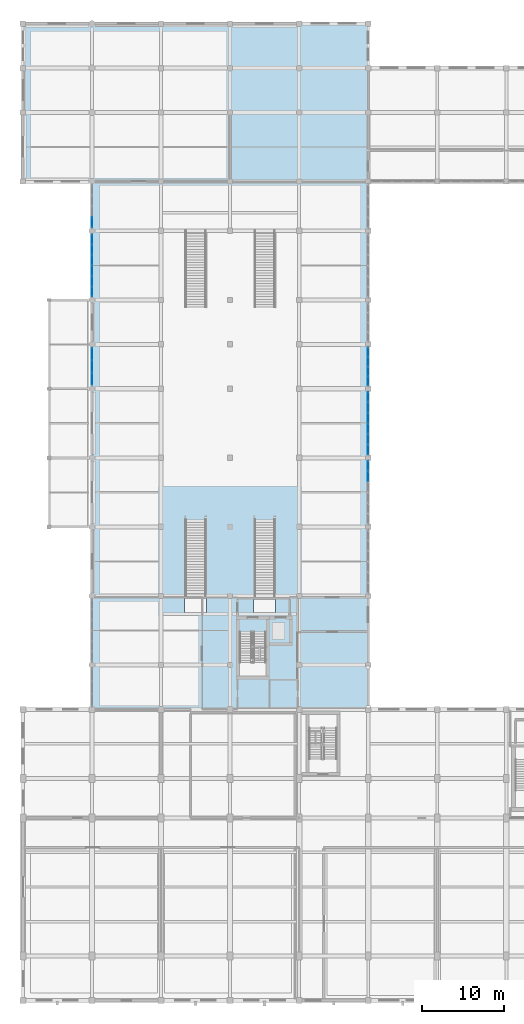
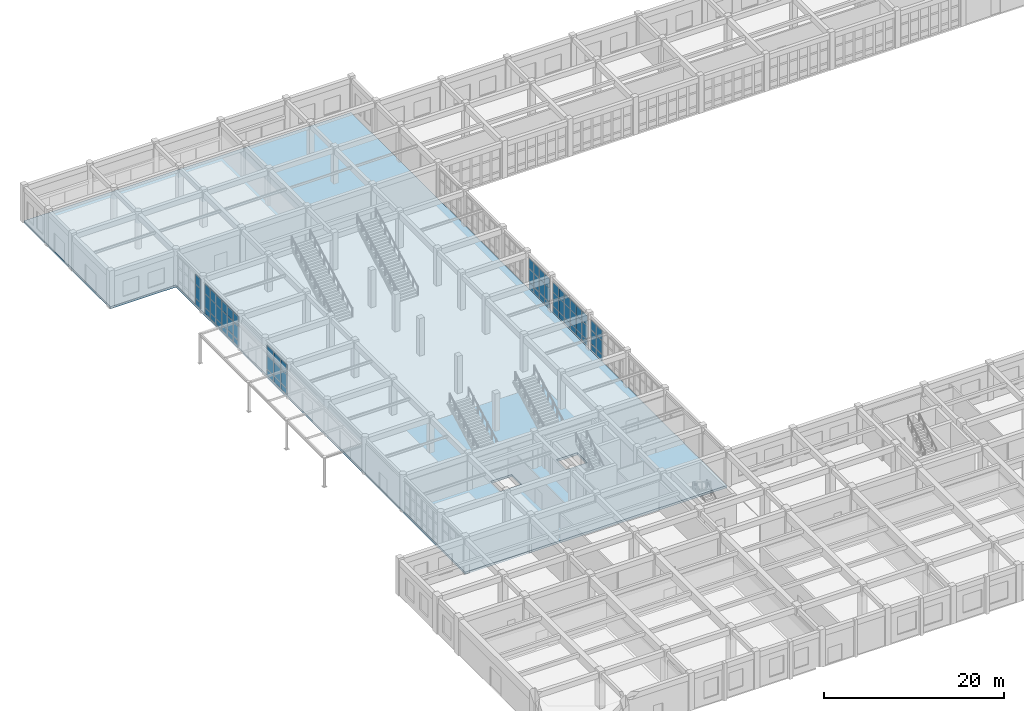
# One storey, part 45 of 80: 66 plates, 1 slab, 6 elements without a shape of their own.
"""IFC4 building model written with IfcOpenShell, lengths in metres."""

from ifc_helpers import new_model, si_unit, direction, frame, origin, origin_2d, place, context, subcontext, project, spatial, polyline, rectangle, outline, extrude, material, layer, layer_set, type_object, element, aggregate, save


model = new_model("IFC4")

# Units and contexts
model_context = context("Model", 3, precision=1e-05, world=origin(), true_north=direction((0.0, 1.0)))
body_context = subcontext(model_context, "Body", "Model", "MODEL_VIEW")
ifc_project = project(units=[si_unit("LENGTHUNIT", "METRE"), si_unit("AREAUNIT", "SQUARE_METRE"), si_unit("VOLUMEUNIT", "CUBIC_METRE"), si_unit("PLANEANGLEUNIT", "RADIAN"), si_unit("MASSUNIT", "GRAM", prefix="KILO")], contexts=[model_context])

# Site, building, storey
site_placement = place(None, origin())
site = spatial("IfcSite", under=ifc_project, at=site_placement, CompositionType="ELEMENT")
building_placement = place(site_placement, origin())
building = spatial("IfcBuilding", under=site, at=building_placement, Name="Krzemoval Escarpment Law Courts", CompositionType="ELEMENT")
storey_placement = place(building_placement, origin())
storey = spatial("IfcBuildingStorey", under=building, at=storey_placement, Name="L00", CompositionType="ELEMENT", Elevation=0.0)

# Curtain wall, plates
ifc_material_1 = material(Name="Aluminium 6063-T6", Category="aluminium")
ifc_layer_1 = layer(ifc_material_1, 0.280029296875)
ifc_layer_set_1 = layer_set([ifc_layer_1], Name="Aluminium 6063-T6")
curtain_wall_type = type_object("IfcCurtainWallType", Name="CW-HALL-5100", PredefinedType="USERDEFINED", material=ifc_layer_set_1)
curtain_wall_1_placement = place(storey_placement, origin())
curtain_wall_1 = element("IfcCurtainWall", 1, at=curtain_wall_1_placement, inside=storey, type_object=curtain_wall_type, Name="Unitised Curtain Wall FCW-L00-003", ObjectType="UNITISED_CURTAIN_WALL", PredefinedType="USERDEFINED")
ifc_material_2 = material(Name="Triple Glazing IGU", Category="glass")
ifc_layer_2 = layer(ifc_material_2, 0.053955078125)
ifc_layer_set_2 = layer_set([ifc_layer_2], Name="Triple Glazing IGU")
plate_type = type_object("IfcPlateType", Name="CWP-GLZ-54", PredefinedType="CURTAIN_PANEL", material=ifc_layer_set_2)
plate_1_placement = place(storey_placement, frame((8.39990234375, 75.5712890625, 0.0849609375), z_axis=(0.0, 0.0, 1.0), x_axis=(0.0, 1.0, 0.0)))
plate_1 = element("IfcPlate", 2, at=plate_1_placement, type_object=plate_type, Name="FCW-L00-003 panel 1.1", PredefinedType="CURTAIN_PANEL", context=body_context, shape_type="SweptSolid", body=[
    extrude(rectangle(XDim=1.422607421875, YDim=0.053955078125, at=origin_2d()), origin(), (0.0, 0.0, 1.0), 0.7724609375),
])
plate_2_placement = place(storey_placement, frame((8.39990234375, 75.5712890625, 0.942626953125), z_axis=(0.0, 0.0, 1.0), x_axis=(0.0, 1.0, 0.0)))
plate_2 = element("IfcPlate", 3, at=plate_2_placement, type_object=plate_type, Name="FCW-L00-003 panel 1.2", PredefinedType="CURTAIN_PANEL", context=body_context, shape_type="SweptSolid", body=[
    extrude(rectangle(XDim=1.422607421875, YDim=0.053955078125, at=origin_2d()), origin(), (0.0, 0.0, 1.0), 1.81494140625),
])
plate_3_placement = place(storey_placement, frame((8.39990234375, 75.5712890625, 2.842529296875), z_axis=(0.0, 0.0, 1.0), x_axis=(0.0, 1.0, 0.0)))
plate_3 = element("IfcPlate", 4, at=plate_3_placement, type_object=plate_type, Name="FCW-L00-003 panel 1.3", PredefinedType="CURTAIN_PANEL", context=body_context, shape_type="SweptSolid", body=[
    extrude(rectangle(XDim=1.422607421875, YDim=0.053955078125, at=origin_2d()), origin(), (0.0, 0.0, 1.0), 1.29248046875),
])
plate_4_placement = place(storey_placement, frame((8.39990234375, 77.10009765625, 0.0849609375), z_axis=(0.0, 0.0, 1.0), x_axis=(0.0, 1.0, 0.0)))
plate_4 = element("IfcPlate", 5, at=plate_4_placement, type_object=plate_type, Name="FCW-L00-003 panel 2.1", PredefinedType="CURTAIN_PANEL", context=body_context, shape_type="SweptSolid", body=[
    extrude(rectangle(XDim=1.465087890625, YDim=0.053955078125, at=origin_2d()), origin(), (0.0, 0.0, 1.0), 0.7724609375),
])
plate_5_placement = place(storey_placement, frame((8.39990234375, 77.10009765625, 0.942626953125), z_axis=(0.0, 0.0, 1.0), x_axis=(0.0, 1.0, 0.0)))
plate_5 = element("IfcPlate", 6, at=plate_5_placement, type_object=plate_type, Name="FCW-L00-003 panel 2.2", PredefinedType="CURTAIN_PANEL", context=body_context, shape_type="SweptSolid", body=[
    extrude(rectangle(XDim=1.465087890625, YDim=0.053955078125, at=origin_2d()), origin(), (0.0, 0.0, 1.0), 1.81494140625),
])
plate_6_placement = place(storey_placement, frame((8.39990234375, 77.10009765625, 2.842529296875), z_axis=(0.0, 0.0, 1.0), x_axis=(0.0, 1.0, 0.0)))
plate_6 = element("IfcPlate", 7, at=plate_6_placement, type_object=plate_type, Name="FCW-L00-003 panel 2.3", PredefinedType="CURTAIN_PANEL", context=body_context, shape_type="SweptSolid", body=[
    extrude(rectangle(XDim=1.465087890625, YDim=0.053955078125, at=origin_2d()), origin(), (0.0, 0.0, 1.0), 1.29248046875),
])
plate_7_placement = place(storey_placement, frame((8.39990234375, 78.628662109375, 0.0849609375), z_axis=(0.0, 0.0, 1.0), x_axis=(0.0, 1.0, 0.0)))
plate_7 = element("IfcPlate", 8, at=plate_7_placement, type_object=plate_type, Name="FCW-L00-003 panel 3.1", PredefinedType="CURTAIN_PANEL", context=body_context, shape_type="SweptSolid", body=[
    extrude(rectangle(XDim=1.422607421875, YDim=0.053955078125, at=origin_2d()), origin(), (0.0, 0.0, 1.0), 0.7724609375),
])
plate_8_placement = place(storey_placement, frame((8.39990234375, 78.628662109375, 0.942626953125), z_axis=(0.0, 0.0, 1.0), x_axis=(0.0, 1.0, 0.0)))
plate_8 = element("IfcPlate", 9, at=plate_8_placement, type_object=plate_type, Name="FCW-L00-003 panel 3.2", PredefinedType="CURTAIN_PANEL", context=body_context, shape_type="SweptSolid", body=[
    extrude(rectangle(XDim=1.422607421875, YDim=0.053955078125, at=origin_2d()), origin(), (0.0, 0.0, 1.0), 1.81494140625),
])
plate_9_placement = place(storey_placement, frame((8.39990234375, 78.628662109375, 2.842529296875), z_axis=(0.0, 0.0, 1.0), x_axis=(0.0, 1.0, 0.0)))
plate_9 = element("IfcPlate", 10, at=plate_9_placement, type_object=plate_type, Name="FCW-L00-003 panel 3.3", PredefinedType="CURTAIN_PANEL", context=body_context, shape_type="SweptSolid", body=[
    extrude(rectangle(XDim=1.422607421875, YDim=0.053955078125, at=origin_2d()), origin(), (0.0, 0.0, 1.0), 1.29248046875),
])
aggregate(curtain_wall_1, [plate_1, plate_2, plate_3, plate_4, plate_5, plate_6, plate_7, plate_8, plate_9])

curtain_wall_2_placement = place(storey_placement, origin())
curtain_wall_2 = element("IfcCurtainWall", 11, at=curtain_wall_2_placement, inside=storey, type_object=curtain_wall_type, Name="Unitised Curtain Wall FCW-L00-004", ObjectType="UNITISED_CURTAIN_WALL", PredefinedType="USERDEFINED")
plate_10_placement = place(storey_placement, frame((8.39990234375, 86.233642578125, 0.0849609375), z_axis=(0.0, 0.0, 1.0), x_axis=(0.0, 1.0, 0.0)))
plate_10 = element("IfcPlate", 12, at=plate_10_placement, type_object=plate_type, Name="FCW-L00-004 panel 1.1", PredefinedType="CURTAIN_PANEL", context=body_context, shape_type="SweptSolid", body=[
    extrude(rectangle(XDim=1.1474609375, YDim=0.053955078125, at=origin_2d()), origin(), (0.0, 0.0, 1.0), 0.7724609375),
])
plate_11_placement = place(storey_placement, frame((8.39990234375, 86.233642578125, 0.942626953125), z_axis=(0.0, 0.0, 1.0), x_axis=(0.0, 1.0, 0.0)))
plate_11 = element("IfcPlate", 13, at=plate_11_placement, type_object=plate_type, Name="FCW-L00-004 panel 1.2", PredefinedType="CURTAIN_PANEL", context=body_context, shape_type="SweptSolid", body=[
    extrude(rectangle(XDim=1.1474609375, YDim=0.053955078125, at=origin_2d()), origin(), (0.0, 0.0, 1.0), 1.81494140625),
])
plate_12_placement = place(storey_placement, frame((8.39990234375, 86.233642578125, 2.842529296875), z_axis=(0.0, 0.0, 1.0), x_axis=(0.0, 1.0, 0.0)))
plate_12 = element("IfcPlate", 14, at=plate_12_placement, type_object=plate_type, Name="FCW-L00-004 panel 1.3", PredefinedType="CURTAIN_PANEL", context=body_context, shape_type="SweptSolid", body=[
    extrude(rectangle(XDim=1.1474609375, YDim=0.053955078125, at=origin_2d()), origin(), (0.0, 0.0, 1.0), 1.29248046875),
])
plate_13_placement = place(storey_placement, frame((8.39990234375, 87.487548828125, 0.0849609375), z_axis=(0.0, 0.0, 1.0), x_axis=(0.0, 1.0, 0.0)))
plate_13 = element("IfcPlate", 15, at=plate_13_placement, type_object=plate_type, Name="FCW-L00-004 panel 2.1", PredefinedType="CURTAIN_PANEL", context=body_context, shape_type="SweptSolid", body=[
    extrude(rectangle(XDim=1.18994140625, YDim=0.053955078125, at=origin_2d()), origin(), (0.0, 0.0, 1.0), 0.7724609375),
])
plate_14_placement = place(storey_placement, frame((8.39990234375, 87.487548828125, 0.942626953125), z_axis=(0.0, 0.0, 1.0), x_axis=(0.0, 1.0, 0.0)))
plate_14 = element("IfcPlate", 16, at=plate_14_placement, type_object=plate_type, Name="FCW-L00-004 panel 2.2", PredefinedType="CURTAIN_PANEL", context=body_context, shape_type="SweptSolid", body=[
    extrude(rectangle(XDim=1.18994140625, YDim=0.053955078125, at=origin_2d()), origin(), (0.0, 0.0, 1.0), 1.81494140625),
])
plate_15_placement = place(storey_placement, frame((8.39990234375, 87.487548828125, 2.842529296875), z_axis=(0.0, 0.0, 1.0), x_axis=(0.0, 1.0, 0.0)))
plate_15 = element("IfcPlate", 17, at=plate_15_placement, type_object=plate_type, Name="FCW-L00-004 panel 2.3", PredefinedType="CURTAIN_PANEL", context=body_context, shape_type="SweptSolid", body=[
    extrude(rectangle(XDim=1.18994140625, YDim=0.053955078125, at=origin_2d()), origin(), (0.0, 0.0, 1.0), 1.29248046875),
])
plate_16_placement = place(storey_placement, frame((8.39990234375, 88.762451171875, 0.0849609375), z_axis=(0.0, 0.0, 1.0), x_axis=(0.0, 1.0, 0.0)))
plate_16 = element("IfcPlate", 18, at=plate_16_placement, type_object=plate_type, Name="FCW-L00-004 panel 3.1", PredefinedType="CURTAIN_PANEL", context=body_context, shape_type="SweptSolid", body=[
    extrude(rectangle(XDim=1.18994140625, YDim=0.053955078125, at=origin_2d()), origin(), (0.0, 0.0, 1.0), 0.7724609375),
])
plate_17_placement = place(storey_placement, frame((8.39990234375, 88.762451171875, 0.942626953125), z_axis=(0.0, 0.0, 1.0), x_axis=(0.0, 1.0, 0.0)))
plate_17 = element("IfcPlate", 19, at=plate_17_placement, type_object=plate_type, Name="FCW-L00-004 panel 3.2", PredefinedType="CURTAIN_PANEL", context=body_context, shape_type="SweptSolid", body=[
    extrude(rectangle(XDim=1.18994140625, YDim=0.053955078125, at=origin_2d()), origin(), (0.0, 0.0, 1.0), 1.81494140625),
])
plate_18_placement = place(storey_placement, frame((8.39990234375, 88.762451171875, 2.842529296875), z_axis=(0.0, 0.0, 1.0), x_axis=(0.0, 1.0, 0.0)))
plate_18 = element("IfcPlate", 20, at=plate_18_placement, type_object=plate_type, Name="FCW-L00-004 panel 3.3", PredefinedType="CURTAIN_PANEL", context=body_context, shape_type="SweptSolid", body=[
    extrude(rectangle(XDim=1.18994140625, YDim=0.053955078125, at=origin_2d()), origin(), (0.0, 0.0, 1.0), 1.29248046875),
])
plate_19_placement = place(storey_placement, frame((8.39990234375, 90.03759765625, 0.0849609375), z_axis=(0.0, 0.0, 1.0), x_axis=(0.0, 1.0, 0.0)))
plate_19 = element("IfcPlate", 21, at=plate_19_placement, type_object=plate_type, Name="FCW-L00-004 panel 4.1", PredefinedType="CURTAIN_PANEL", context=body_context, shape_type="SweptSolid", body=[
    extrude(rectangle(XDim=1.18994140625, YDim=0.053955078125, at=origin_2d()), origin(), (0.0, 0.0, 1.0), 0.7724609375),
])
plate_20_placement = place(storey_placement, frame((8.39990234375, 90.03759765625, 0.942626953125), z_axis=(0.0, 0.0, 1.0), x_axis=(0.0, 1.0, 0.0)))
plate_20 = element("IfcPlate", 22, at=plate_20_placement, type_object=plate_type, Name="FCW-L00-004 panel 4.2", PredefinedType="CURTAIN_PANEL", context=body_context, shape_type="SweptSolid", body=[
    extrude(rectangle(XDim=1.18994140625, YDim=0.053955078125, at=origin_2d()), origin(), (0.0, 0.0, 1.0), 1.81494140625),
])
plate_21_placement = place(storey_placement, frame((8.39990234375, 90.03759765625, 2.842529296875), z_axis=(0.0, 0.0, 1.0), x_axis=(0.0, 1.0, 0.0)))
plate_21 = element("IfcPlate", 23, at=plate_21_placement, type_object=plate_type, Name="FCW-L00-004 panel 4.3", PredefinedType="CURTAIN_PANEL", context=body_context, shape_type="SweptSolid", body=[
    extrude(rectangle(XDim=1.18994140625, YDim=0.053955078125, at=origin_2d()), origin(), (0.0, 0.0, 1.0), 1.29248046875),
])
plate_22_placement = place(storey_placement, frame((8.39990234375, 91.3125, 0.0849609375), z_axis=(0.0, 0.0, 1.0), x_axis=(0.0, 1.0, 0.0)))
plate_22 = element("IfcPlate", 24, at=plate_22_placement, type_object=plate_type, Name="FCW-L00-004 panel 5.1", PredefinedType="CURTAIN_PANEL", context=body_context, shape_type="SweptSolid", body=[
    extrude(rectangle(XDim=1.18994140625, YDim=0.053955078125, at=origin_2d()), origin(), (0.0, 0.0, 1.0), 0.7724609375),
])
plate_23_placement = place(storey_placement, frame((8.39990234375, 91.3125, 0.942626953125), z_axis=(0.0, 0.0, 1.0), x_axis=(0.0, 1.0, 0.0)))
plate_23 = element("IfcPlate", 25, at=plate_23_placement, type_object=plate_type, Name="FCW-L00-004 panel 5.2", PredefinedType="CURTAIN_PANEL", context=body_context, shape_type="SweptSolid", body=[
    extrude(rectangle(XDim=1.18994140625, YDim=0.053955078125, at=origin_2d()), origin(), (0.0, 0.0, 1.0), 1.81494140625),
])
plate_24_placement = place(storey_placement, frame((8.39990234375, 91.3125, 2.842529296875), z_axis=(0.0, 0.0, 1.0), x_axis=(0.0, 1.0, 0.0)))
plate_24 = element("IfcPlate", 26, at=plate_24_placement, type_object=plate_type, Name="FCW-L00-004 panel 5.3", PredefinedType="CURTAIN_PANEL", context=body_context, shape_type="SweptSolid", body=[
    extrude(rectangle(XDim=1.18994140625, YDim=0.053955078125, at=origin_2d()), origin(), (0.0, 0.0, 1.0), 1.29248046875),
])
plate_25_placement = place(storey_placement, frame((8.39990234375, 92.566162109375, 0.0849609375), z_axis=(0.0, 0.0, 1.0), x_axis=(0.0, 1.0, 0.0)))
plate_25 = element("IfcPlate", 27, at=plate_25_placement, type_object=plate_type, Name="FCW-L00-004 panel 6.1", PredefinedType="CURTAIN_PANEL", context=body_context, shape_type="SweptSolid", body=[
    extrude(rectangle(XDim=1.1474609375, YDim=0.053955078125, at=origin_2d()), origin(), (0.0, 0.0, 1.0), 0.7724609375),
])
plate_26_placement = place(storey_placement, frame((8.39990234375, 92.566162109375, 0.942626953125), z_axis=(0.0, 0.0, 1.0), x_axis=(0.0, 1.0, 0.0)))
plate_26 = element("IfcPlate", 28, at=plate_26_placement, type_object=plate_type, Name="FCW-L00-004 panel 6.2", PredefinedType="CURTAIN_PANEL", context=body_context, shape_type="SweptSolid", body=[
    extrude(rectangle(XDim=1.1474609375, YDim=0.053955078125, at=origin_2d()), origin(), (0.0, 0.0, 1.0), 1.81494140625),
])
plate_27_placement = place(storey_placement, frame((8.39990234375, 92.566162109375, 2.842529296875), z_axis=(0.0, 0.0, 1.0), x_axis=(0.0, 1.0, 0.0)))
plate_27 = element("IfcPlate", 29, at=plate_27_placement, type_object=plate_type, Name="FCW-L00-004 panel 6.3", PredefinedType="CURTAIN_PANEL", context=body_context, shape_type="SweptSolid", body=[
    extrude(rectangle(XDim=1.1474609375, YDim=0.053955078125, at=origin_2d()), origin(), (0.0, 0.0, 1.0), 1.29248046875),
])
aggregate(curtain_wall_2, [plate_10, plate_11, plate_12, plate_13, plate_14, plate_15, plate_16, plate_17, plate_18, plate_19, plate_20, plate_21, plate_22, plate_23, plate_24, plate_25, plate_26, plate_27])

curtain_wall_3_placement = place(storey_placement, origin())
curtain_wall_3 = element("IfcCurtainWall", 30, at=curtain_wall_3_placement, inside=storey, type_object=curtain_wall_type, Name="Unitised Curtain Wall FCW-L00-005", ObjectType="UNITISED_CURTAIN_WALL", PredefinedType="USERDEFINED")
plate_28_placement = place(storey_placement, frame((8.39990234375, 94.652587890625, 0.0849609375), z_axis=(0.0, 0.0, 1.0), x_axis=(0.0, 1.0, 0.0)))
plate_28 = element("IfcPlate", 31, at=plate_28_placement, type_object=plate_type, Name="FCW-L00-005 panel 1.1", PredefinedType="CURTAIN_PANEL", context=body_context, shape_type="SweptSolid", body=[
    extrude(rectangle(XDim=1.18505859375, YDim=0.053955078125, at=origin_2d()), origin(), (0.0, 0.0, 1.0), 0.7724609375),
])
plate_29_placement = place(storey_placement, frame((8.39990234375, 94.652587890625, 0.942626953125), z_axis=(0.0, 0.0, 1.0), x_axis=(0.0, 1.0, 0.0)))
plate_29 = element("IfcPlate", 32, at=plate_29_placement, type_object=plate_type, Name="FCW-L00-005 panel 1.2", PredefinedType="CURTAIN_PANEL", context=body_context, shape_type="SweptSolid", body=[
    extrude(rectangle(XDim=1.18505859375, YDim=0.053955078125, at=origin_2d()), origin(), (0.0, 0.0, 1.0), 1.81494140625),
])
plate_30_placement = place(storey_placement, frame((8.39990234375, 94.652587890625, 2.842529296875), z_axis=(0.0, 0.0, 1.0), x_axis=(0.0, 1.0, 0.0)))
plate_30 = element("IfcPlate", 33, at=plate_30_placement, type_object=plate_type, Name="FCW-L00-005 panel 1.3", PredefinedType="CURTAIN_PANEL", context=body_context, shape_type="SweptSolid", body=[
    extrude(rectangle(XDim=1.18505859375, YDim=0.053955078125, at=origin_2d()), origin(), (0.0, 0.0, 1.0), 1.29248046875),
])
aggregate(curtain_wall_3, [plate_28, plate_29, plate_30])

curtain_wall_4_placement = place(storey_placement, origin())
curtain_wall_4 = element("IfcCurtainWall", 34, at=curtain_wall_4_placement, inside=storey, type_object=curtain_wall_type, Name="Unitised Curtain Wall FCW-L00-018", ObjectType="UNITISED_CURTAIN_WALL", PredefinedType="USERDEFINED")
plate_31_placement = place(storey_placement, frame((42.0, 78.860107421875, 0.0849609375), z_axis=(0.0, 0.0, 1.0), x_axis=(0.0, -1.0, 0.0)))
plate_31 = element("IfcPlate", 35, at=plate_31_placement, type_object=plate_type, Name="FCW-L00-018 panel 1.1", PredefinedType="CURTAIN_PANEL", context=body_context, shape_type="SweptSolid", body=[
    extrude(rectangle(XDim=1.06005859375, YDim=0.053955078125, at=origin_2d()), origin(), (0.0, 0.0, 1.0), 0.7724609375),
])
plate_32_placement = place(storey_placement, frame((42.0, 78.860107421875, 0.942626953125), z_axis=(0.0, 0.0, 1.0), x_axis=(0.0, -1.0, 0.0)))
plate_32 = element("IfcPlate", 36, at=plate_32_placement, type_object=plate_type, Name="FCW-L00-018 panel 1.2", PredefinedType="CURTAIN_PANEL", context=body_context, shape_type="SweptSolid", body=[
    extrude(rectangle(XDim=1.06005859375, YDim=0.053955078125, at=origin_2d()), origin(), (0.0, 0.0, 1.0), 1.81494140625),
])
plate_33_placement = place(storey_placement, frame((42.0, 78.860107421875, 2.842529296875), z_axis=(0.0, 0.0, 1.0), x_axis=(0.0, -1.0, 0.0)))
plate_33 = element("IfcPlate", 37, at=plate_33_placement, type_object=plate_type, Name="FCW-L00-018 panel 1.3", PredefinedType="CURTAIN_PANEL", context=body_context, shape_type="SweptSolid", body=[
    extrude(rectangle(XDim=1.06005859375, YDim=0.053955078125, at=origin_2d()), origin(), (0.0, 0.0, 1.0), 1.29248046875),
])
plate_34_placement = place(storey_placement, frame((42.0, 77.69384765625, 0.0849609375), z_axis=(0.0, 0.0, 1.0), x_axis=(0.0, -1.0, 0.0)))
plate_34 = element("IfcPlate", 38, at=plate_34_placement, type_object=plate_type, Name="FCW-L00-018 panel 2.1", PredefinedType="CURTAIN_PANEL", context=body_context, shape_type="SweptSolid", body=[
    extrude(rectangle(XDim=1.1025390625, YDim=0.053955078125, at=origin_2d()), origin(), (0.0, 0.0, 1.0), 0.7724609375),
])
plate_35_placement = place(storey_placement, frame((42.0, 77.69384765625, 0.942626953125), z_axis=(0.0, 0.0, 1.0), x_axis=(0.0, -1.0, 0.0)))
plate_35 = element("IfcPlate", 39, at=plate_35_placement, type_object=plate_type, Name="FCW-L00-018 panel 2.2", PredefinedType="CURTAIN_PANEL", context=body_context, shape_type="SweptSolid", body=[
    extrude(rectangle(XDim=1.1025390625, YDim=0.053955078125, at=origin_2d()), origin(), (0.0, 0.0, 1.0), 1.81494140625),
])
plate_36_placement = place(storey_placement, frame((42.0, 77.69384765625, 2.842529296875), z_axis=(0.0, 0.0, 1.0), x_axis=(0.0, -1.0, 0.0)))
plate_36 = element("IfcPlate", 40, at=plate_36_placement, type_object=plate_type, Name="FCW-L00-018 panel 2.3", PredefinedType="CURTAIN_PANEL", context=body_context, shape_type="SweptSolid", body=[
    extrude(rectangle(XDim=1.1025390625, YDim=0.053955078125, at=origin_2d()), origin(), (0.0, 0.0, 1.0), 1.29248046875),
])
plate_37_placement = place(storey_placement, frame((42.0, 76.50634765625, 0.0849609375), z_axis=(0.0, 0.0, 1.0), x_axis=(0.0, -1.0, 0.0)))
plate_37 = element("IfcPlate", 41, at=plate_37_placement, type_object=plate_type, Name="FCW-L00-018 panel 3.1", PredefinedType="CURTAIN_PANEL", context=body_context, shape_type="SweptSolid", body=[
    extrude(rectangle(XDim=1.1025390625, YDim=0.053955078125, at=origin_2d()), origin(), (0.0, 0.0, 1.0), 0.7724609375),
])
plate_38_placement = place(storey_placement, frame((42.0, 76.50634765625, 0.942626953125), z_axis=(0.0, 0.0, 1.0), x_axis=(0.0, -1.0, 0.0)))
plate_38 = element("IfcPlate", 42, at=plate_38_placement, type_object=plate_type, Name="FCW-L00-018 panel 3.2", PredefinedType="CURTAIN_PANEL", context=body_context, shape_type="SweptSolid", body=[
    extrude(rectangle(XDim=1.1025390625, YDim=0.053955078125, at=origin_2d()), origin(), (0.0, 0.0, 1.0), 1.81494140625),
])
plate_39_placement = place(storey_placement, frame((42.0, 76.50634765625, 2.842529296875), z_axis=(0.0, 0.0, 1.0), x_axis=(0.0, -1.0, 0.0)))
plate_39 = element("IfcPlate", 43, at=plate_39_placement, type_object=plate_type, Name="FCW-L00-018 panel 3.3", PredefinedType="CURTAIN_PANEL", context=body_context, shape_type="SweptSolid", body=[
    extrude(rectangle(XDim=1.1025390625, YDim=0.053955078125, at=origin_2d()), origin(), (0.0, 0.0, 1.0), 1.29248046875),
])
plate_40_placement = place(storey_placement, frame((42.0, 75.340087890625, 0.0849609375), z_axis=(0.0, 0.0, 1.0), x_axis=(0.0, -1.0, 0.0)))
plate_40 = element("IfcPlate", 44, at=plate_40_placement, type_object=plate_type, Name="FCW-L00-018 panel 4.1", PredefinedType="CURTAIN_PANEL", context=body_context, shape_type="SweptSolid", body=[
    extrude(rectangle(XDim=1.06005859375, YDim=0.053955078125, at=origin_2d()), origin(), (0.0, 0.0, 1.0), 0.7724609375),
])
plate_41_placement = place(storey_placement, frame((42.0, 75.340087890625, 0.942626953125), z_axis=(0.0, 0.0, 1.0), x_axis=(0.0, -1.0, 0.0)))
plate_41 = element("IfcPlate", 45, at=plate_41_placement, type_object=plate_type, Name="FCW-L00-018 panel 4.2", PredefinedType="CURTAIN_PANEL", context=body_context, shape_type="SweptSolid", body=[
    extrude(rectangle(XDim=1.06005859375, YDim=0.053955078125, at=origin_2d()), origin(), (0.0, 0.0, 1.0), 1.81494140625),
])
plate_42_placement = place(storey_placement, frame((42.0, 75.340087890625, 2.842529296875), z_axis=(0.0, 0.0, 1.0), x_axis=(0.0, -1.0, 0.0)))
plate_42 = element("IfcPlate", 46, at=plate_42_placement, type_object=plate_type, Name="FCW-L00-018 panel 4.3", PredefinedType="CURTAIN_PANEL", context=body_context, shape_type="SweptSolid", body=[
    extrude(rectangle(XDim=1.06005859375, YDim=0.053955078125, at=origin_2d()), origin(), (0.0, 0.0, 1.0), 1.29248046875),
])
aggregate(curtain_wall_4, [plate_31, plate_32, plate_33, plate_34, plate_35, plate_36, plate_37, plate_38, plate_39, plate_40, plate_41, plate_42])

curtain_wall_5_placement = place(storey_placement, origin())
curtain_wall_5 = element("IfcCurtainWall", 47, at=curtain_wall_5_placement, inside=storey, type_object=curtain_wall_type, Name="Unitised Curtain Wall FCW-L00-019", ObjectType="UNITISED_CURTAIN_WALL", PredefinedType="USERDEFINED")
plate_43_placement = place(storey_placement, frame((42.0, 73.407958984375, 0.0849609375), z_axis=(0.0, 0.0, 1.0), x_axis=(0.0, -1.0, 0.0)))
plate_43 = element("IfcPlate", 48, at=plate_43_placement, type_object=plate_type, Name="FCW-L00-019 panel 1.1", PredefinedType="CURTAIN_PANEL", context=body_context, shape_type="SweptSolid", body=[
    extrude(rectangle(XDim=1.1640625, YDim=0.053955078125, at=origin_2d()), origin(), (0.0, 0.0, 1.0), 0.7724609375),
])
plate_44_placement = place(storey_placement, frame((42.0, 73.407958984375, 0.942626953125), z_axis=(0.0, 0.0, 1.0), x_axis=(0.0, -1.0, 0.0)))
plate_44 = element("IfcPlate", 49, at=plate_44_placement, type_object=plate_type, Name="FCW-L00-019 panel 1.2", PredefinedType="CURTAIN_PANEL", context=body_context, shape_type="SweptSolid", body=[
    extrude(rectangle(XDim=1.1640625, YDim=0.053955078125, at=origin_2d()), origin(), (0.0, 0.0, 1.0), 1.81494140625),
])
plate_45_placement = place(storey_placement, frame((42.0, 73.407958984375, 2.842529296875), z_axis=(0.0, 0.0, 1.0), x_axis=(0.0, -1.0, 0.0)))
plate_45 = element("IfcPlate", 50, at=plate_45_placement, type_object=plate_type, Name="FCW-L00-019 panel 1.3", PredefinedType="CURTAIN_PANEL", context=body_context, shape_type="SweptSolid", body=[
    extrude(rectangle(XDim=1.1640625, YDim=0.053955078125, at=origin_2d()), origin(), (0.0, 0.0, 1.0), 1.29248046875),
])
plate_46_placement = place(storey_placement, frame((42.0, 72.137451171875, 0.0849609375), z_axis=(0.0, 0.0, 1.0), x_axis=(0.0, -1.0, 0.0)))
plate_46 = element("IfcPlate", 51, at=plate_46_placement, type_object=plate_type, Name="FCW-L00-019 panel 2.1", PredefinedType="CURTAIN_PANEL", context=body_context, shape_type="SweptSolid", body=[
    extrude(rectangle(XDim=1.206787109375, YDim=0.053955078125, at=origin_2d()), origin(), (0.0, 0.0, 1.0), 0.7724609375),
])
plate_47_placement = place(storey_placement, frame((42.0, 72.137451171875, 0.942626953125), z_axis=(0.0, 0.0, 1.0), x_axis=(0.0, -1.0, 0.0)))
plate_47 = element("IfcPlate", 52, at=plate_47_placement, type_object=plate_type, Name="FCW-L00-019 panel 2.2", PredefinedType="CURTAIN_PANEL", context=body_context, shape_type="SweptSolid", body=[
    extrude(rectangle(XDim=1.206787109375, YDim=0.053955078125, at=origin_2d()), origin(), (0.0, 0.0, 1.0), 1.81494140625),
])
plate_48_placement = place(storey_placement, frame((42.0, 72.137451171875, 2.842529296875), z_axis=(0.0, 0.0, 1.0), x_axis=(0.0, -1.0, 0.0)))
plate_48 = element("IfcPlate", 53, at=plate_48_placement, type_object=plate_type, Name="FCW-L00-019 panel 2.3", PredefinedType="CURTAIN_PANEL", context=body_context, shape_type="SweptSolid", body=[
    extrude(rectangle(XDim=1.206787109375, YDim=0.053955078125, at=origin_2d()), origin(), (0.0, 0.0, 1.0), 1.29248046875),
])
plate_49_placement = place(storey_placement, frame((42.0, 70.845947265625, 0.0849609375), z_axis=(0.0, 0.0, 1.0), x_axis=(0.0, -1.0, 0.0)))
plate_49 = element("IfcPlate", 54, at=plate_49_placement, type_object=plate_type, Name="FCW-L00-019 panel 3.1", PredefinedType="CURTAIN_PANEL", context=body_context, shape_type="SweptSolid", body=[
    extrude(rectangle(XDim=1.206787109375, YDim=0.053955078125, at=origin_2d()), origin(), (0.0, 0.0, 1.0), 0.7724609375),
])
plate_50_placement = place(storey_placement, frame((42.0, 70.845947265625, 0.942626953125), z_axis=(0.0, 0.0, 1.0), x_axis=(0.0, -1.0, 0.0)))
plate_50 = element("IfcPlate", 55, at=plate_50_placement, type_object=plate_type, Name="FCW-L00-019 panel 3.2", PredefinedType="CURTAIN_PANEL", context=body_context, shape_type="SweptSolid", body=[
    extrude(rectangle(XDim=1.206787109375, YDim=0.053955078125, at=origin_2d()), origin(), (0.0, 0.0, 1.0), 1.81494140625),
])
plate_51_placement = place(storey_placement, frame((42.0, 70.845947265625, 2.842529296875), z_axis=(0.0, 0.0, 1.0), x_axis=(0.0, -1.0, 0.0)))
plate_51 = element("IfcPlate", 56, at=plate_51_placement, type_object=plate_type, Name="FCW-L00-019 panel 3.3", PredefinedType="CURTAIN_PANEL", context=body_context, shape_type="SweptSolid", body=[
    extrude(rectangle(XDim=1.206787109375, YDim=0.053955078125, at=origin_2d()), origin(), (0.0, 0.0, 1.0), 1.29248046875),
])
plate_52_placement = place(storey_placement, frame((42.0, 69.55419921875, 0.0849609375), z_axis=(0.0, 0.0, 1.0), x_axis=(0.0, -1.0, 0.0)))
plate_52 = element("IfcPlate", 57, at=plate_52_placement, type_object=plate_type, Name="FCW-L00-019 panel 4.1", PredefinedType="CURTAIN_PANEL", context=body_context, shape_type="SweptSolid", body=[
    extrude(rectangle(XDim=1.206787109375, YDim=0.053955078125, at=origin_2d()), origin(), (0.0, 0.0, 1.0), 0.7724609375),
])
plate_53_placement = place(storey_placement, frame((42.0, 69.55419921875, 0.942626953125), z_axis=(0.0, 0.0, 1.0), x_axis=(0.0, -1.0, 0.0)))
plate_53 = element("IfcPlate", 58, at=plate_53_placement, type_object=plate_type, Name="FCW-L00-019 panel 4.2", PredefinedType="CURTAIN_PANEL", context=body_context, shape_type="SweptSolid", body=[
    extrude(rectangle(XDim=1.206787109375, YDim=0.053955078125, at=origin_2d()), origin(), (0.0, 0.0, 1.0), 1.81494140625),
])
plate_54_placement = place(storey_placement, frame((42.0, 69.55419921875, 2.842529296875), z_axis=(0.0, 0.0, 1.0), x_axis=(0.0, -1.0, 0.0)))
plate_54 = element("IfcPlate", 59, at=plate_54_placement, type_object=plate_type, Name="FCW-L00-019 panel 4.3", PredefinedType="CURTAIN_PANEL", context=body_context, shape_type="SweptSolid", body=[
    extrude(rectangle(XDim=1.206787109375, YDim=0.053955078125, at=origin_2d()), origin(), (0.0, 0.0, 1.0), 1.29248046875),
])
plate_55_placement = place(storey_placement, frame((42.0, 68.262451171875, 0.0849609375), z_axis=(0.0, 0.0, 1.0), x_axis=(0.0, -1.0, 0.0)))
plate_55 = element("IfcPlate", 60, at=plate_55_placement, type_object=plate_type, Name="FCW-L00-019 panel 5.1", PredefinedType="CURTAIN_PANEL", context=body_context, shape_type="SweptSolid", body=[
    extrude(rectangle(XDim=1.206787109375, YDim=0.053955078125, at=origin_2d()), origin(), (0.0, 0.0, 1.0), 0.7724609375),
])
plate_56_placement = place(storey_placement, frame((42.0, 68.262451171875, 0.942626953125), z_axis=(0.0, 0.0, 1.0), x_axis=(0.0, -1.0, 0.0)))
plate_56 = element("IfcPlate", 61, at=plate_56_placement, type_object=plate_type, Name="FCW-L00-019 panel 5.2", PredefinedType="CURTAIN_PANEL", context=body_context, shape_type="SweptSolid", body=[
    extrude(rectangle(XDim=1.206787109375, YDim=0.053955078125, at=origin_2d()), origin(), (0.0, 0.0, 1.0), 1.81494140625),
])
plate_57_placement = place(storey_placement, frame((42.0, 68.262451171875, 2.842529296875), z_axis=(0.0, 0.0, 1.0), x_axis=(0.0, -1.0, 0.0)))
plate_57 = element("IfcPlate", 62, at=plate_57_placement, type_object=plate_type, Name="FCW-L00-019 panel 5.3", PredefinedType="CURTAIN_PANEL", context=body_context, shape_type="SweptSolid", body=[
    extrude(rectangle(XDim=1.206787109375, YDim=0.053955078125, at=origin_2d()), origin(), (0.0, 0.0, 1.0), 1.29248046875),
])
plate_58_placement = place(storey_placement, frame((42.0, 66.9921875, 0.0849609375), z_axis=(0.0, 0.0, 1.0), x_axis=(0.0, -1.0, 0.0)))
plate_58 = element("IfcPlate", 63, at=plate_58_placement, type_object=plate_type, Name="FCW-L00-019 panel 6.1", PredefinedType="CURTAIN_PANEL", context=body_context, shape_type="SweptSolid", body=[
    extrude(rectangle(XDim=1.1640625, YDim=0.053955078125, at=origin_2d()), origin(), (0.0, 0.0, 1.0), 0.7724609375),
])
plate_59_placement = place(storey_placement, frame((42.0, 66.9921875, 0.942626953125), z_axis=(0.0, 0.0, 1.0), x_axis=(0.0, -1.0, 0.0)))
plate_59 = element("IfcPlate", 64, at=plate_59_placement, type_object=plate_type, Name="FCW-L00-019 panel 6.2", PredefinedType="CURTAIN_PANEL", context=body_context, shape_type="SweptSolid", body=[
    extrude(rectangle(XDim=1.1640625, YDim=0.053955078125, at=origin_2d()), origin(), (0.0, 0.0, 1.0), 1.81494140625),
])
plate_60_placement = place(storey_placement, frame((42.0, 66.9921875, 2.842529296875), z_axis=(0.0, 0.0, 1.0), x_axis=(0.0, -1.0, 0.0)))
plate_60 = element("IfcPlate", 65, at=plate_60_placement, type_object=plate_type, Name="FCW-L00-019 panel 6.3", PredefinedType="CURTAIN_PANEL", context=body_context, shape_type="SweptSolid", body=[
    extrude(rectangle(XDim=1.1640625, YDim=0.053955078125, at=origin_2d()), origin(), (0.0, 0.0, 1.0), 1.29248046875),
])
aggregate(curtain_wall_5, [plate_43, plate_44, plate_45, plate_46, plate_47, plate_48, plate_49, plate_50, plate_51, plate_52, plate_53, plate_54, plate_55, plate_56, plate_57, plate_58, plate_59, plate_60])

curtain_wall_6_placement = place(storey_placement, origin())
curtain_wall_6 = element("IfcCurtainWall", 66, at=curtain_wall_6_placement, inside=storey, type_object=curtain_wall_type, Name="Unitised Curtain Wall FCW-L00-020", ObjectType="UNITISED_CURTAIN_WALL", PredefinedType="USERDEFINED")
plate_61_placement = place(storey_placement, frame((42.0, 65.0078125, 0.0849609375), z_axis=(0.0, 0.0, 1.0), x_axis=(0.0, -1.0, 0.0)))
plate_61 = element("IfcPlate", 67, at=plate_61_placement, type_object=plate_type, Name="FCW-L00-020 panel 1.1", PredefinedType="CURTAIN_PANEL", context=body_context, shape_type="SweptSolid", body=[
    extrude(rectangle(XDim=1.1640625, YDim=0.053955078125, at=origin_2d()), origin(), (0.0, 0.0, 1.0), 0.7724609375),
])
plate_62_placement = place(storey_placement, frame((42.0, 65.0078125, 0.942626953125), z_axis=(0.0, 0.0, 1.0), x_axis=(0.0, -1.0, 0.0)))
plate_62 = element("IfcPlate", 68, at=plate_62_placement, type_object=plate_type, Name="FCW-L00-020 panel 1.2", PredefinedType="CURTAIN_PANEL", context=body_context, shape_type="SweptSolid", body=[
    extrude(rectangle(XDim=1.1640625, YDim=0.053955078125, at=origin_2d()), origin(), (0.0, 0.0, 1.0), 1.81494140625),
])
plate_63_placement = place(storey_placement, frame((42.0, 65.0078125, 2.842529296875), z_axis=(0.0, 0.0, 1.0), x_axis=(0.0, -1.0, 0.0)))
plate_63 = element("IfcPlate", 69, at=plate_63_placement, type_object=plate_type, Name="FCW-L00-020 panel 1.3", PredefinedType="CURTAIN_PANEL", context=body_context, shape_type="SweptSolid", body=[
    extrude(rectangle(XDim=1.1640625, YDim=0.053955078125, at=origin_2d()), origin(), (0.0, 0.0, 1.0), 1.29248046875),
])
plate_64_placement = place(storey_placement, frame((42.0, 63.737548828125, 0.0849609375), z_axis=(0.0, 0.0, 1.0), x_axis=(0.0, -1.0, 0.0)))
plate_64 = element("IfcPlate", 70, at=plate_64_placement, type_object=plate_type, Name="FCW-L00-020 panel 2.1", PredefinedType="CURTAIN_PANEL", context=body_context, shape_type="SweptSolid", body=[
    extrude(rectangle(XDim=1.206787109375, YDim=0.053955078125, at=origin_2d()), origin(), (0.0, 0.0, 1.0), 0.7724609375),
])
plate_65_placement = place(storey_placement, frame((42.0, 63.737548828125, 0.942626953125), z_axis=(0.0, 0.0, 1.0), x_axis=(0.0, -1.0, 0.0)))
plate_65 = element("IfcPlate", 71, at=plate_65_placement, type_object=plate_type, Name="FCW-L00-020 panel 2.2", PredefinedType="CURTAIN_PANEL", context=body_context, shape_type="SweptSolid", body=[
    extrude(rectangle(XDim=1.206787109375, YDim=0.053955078125, at=origin_2d()), origin(), (0.0, 0.0, 1.0), 1.81494140625),
])
plate_66_placement = place(storey_placement, frame((42.0, 63.737548828125, 2.842529296875), z_axis=(0.0, 0.0, 1.0), x_axis=(0.0, -1.0, 0.0)))
plate_66 = element("IfcPlate", 72, at=plate_66_placement, type_object=plate_type, Name="FCW-L00-020 panel 2.3", PredefinedType="CURTAIN_PANEL", context=body_context, shape_type="SweptSolid", body=[
    extrude(rectangle(XDim=1.206787109375, YDim=0.053955078125, at=origin_2d()), origin(), (0.0, 0.0, 1.0), 1.29248046875),
])
aggregate(curtain_wall_6, [plate_61, plate_62, plate_63, plate_64, plate_65, plate_66])

# Slab
ifc_material_3 = material(Name="Concrete C40/50", Category="concrete")
ifc_layer_3 = layer(ifc_material_3, 0.300048828125)
ifc_layer_set_3 = layer_set([ifc_layer_3], Name="Concrete C40/50")
slab_type = type_object("IfcSlabType", Name="SL-FLR-300", PredefinedType="FLOOR", material=ifc_layer_set_3)
slab_placement = place(storey_placement, frame((0.0, 0.0, -0.300048828125)))
element("IfcSlab", 73, at=slab_placement, inside=storey, type_object=slab_type, Name="Floor Slab SL-L00-V4-011", PredefinedType="FLOOR", context=body_context, shape_type="SweptSolid", body=[
    extrude(outline(polyline([(0.0, 99.60009765625), (0.0, 118.800048828125), (41.9599609375, 118.800048828125), (41.9599609375, 35.39990234375), (8.39990234375, 35.39990234375), (8.39990234375, 99.60009765625), (0.0, 99.60009765625)]), holes=[polyline([(19.64990234375, 49.199951171875), (19.64990234375, 47.0), (22.35009765625, 47.0), (22.35009765625, 49.199951171875), (19.64990234375, 49.199951171875)]), polyline([(30.75, 49.199951171875), (28.050048828125, 49.199951171875), (28.050048828125, 47.0), (30.75, 47.0), (30.75, 49.199951171875)])]), origin(), (0.0, 0.0, 1.0), 0.300048828125),
])

save(model, "model.ifc")
